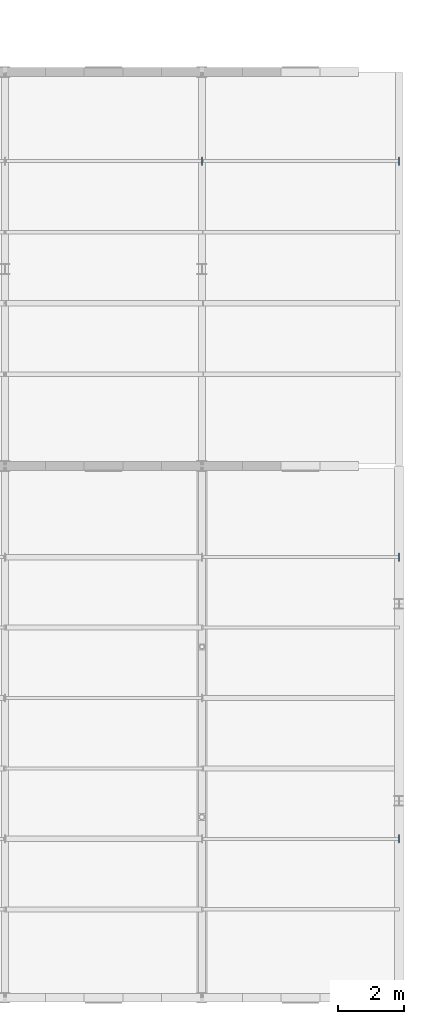
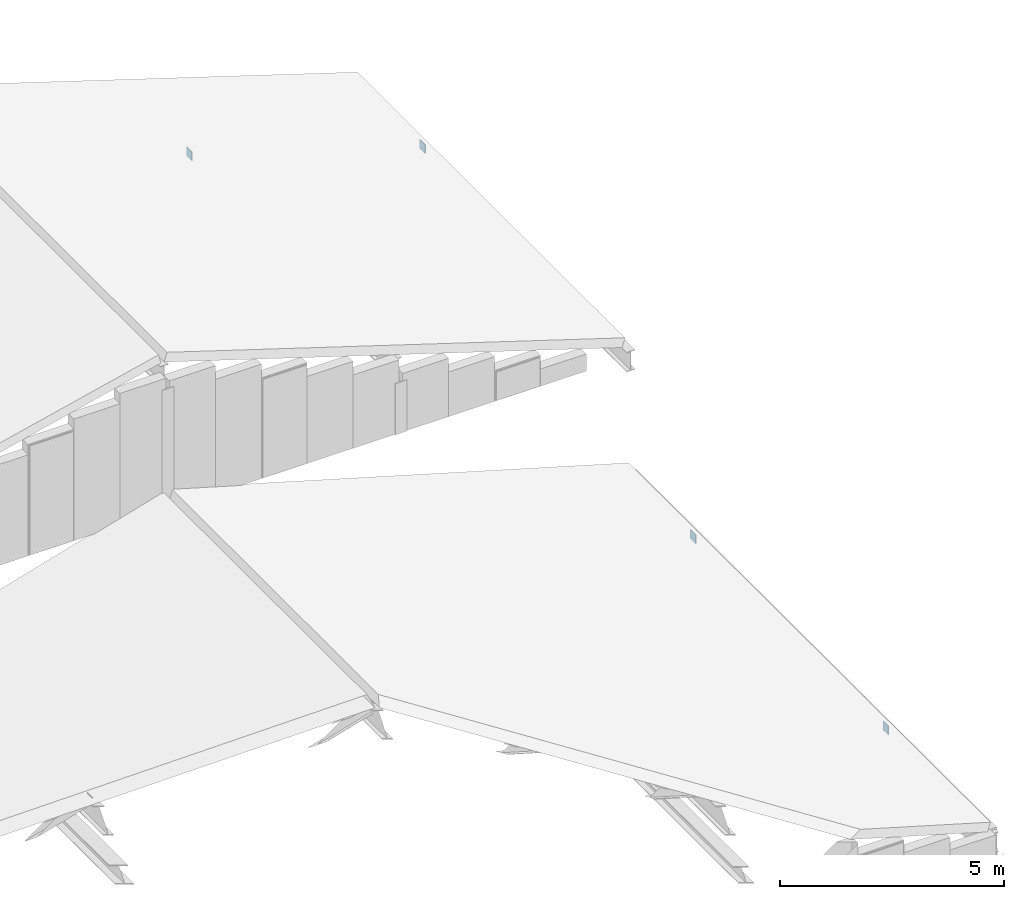
# One storey, part 60 of 74: 4 plates.
"""IFC4 building model written with IfcOpenShell, lengths in metres."""

from ifc_helpers import new_model, si_unit, direction, frame, origin, origin_2d, place, context, subcontext, project, spatial, rectangle, extrude, material, layer, layer_set, type_object, element, save


model = new_model("IFC4")

# Units and contexts
model_context = context("Model", 3, precision=1e-05, world=origin(), true_north=direction((0.0, 1.0)))
body_context = subcontext(model_context, "Body", "Model", "MODEL_VIEW")
ifc_project = project(units=[si_unit("LENGTHUNIT", "METRE"), si_unit("AREAUNIT", "SQUARE_METRE"), si_unit("VOLUMEUNIT", "CUBIC_METRE"), si_unit("PLANEANGLEUNIT", "RADIAN"), si_unit("MASSUNIT", "GRAM", prefix="KILO")], contexts=[model_context])

# Site, building, storey
site_placement = place(None, origin())
site = spatial("IfcSite", under=ifc_project, at=site_placement, CompositionType="ELEMENT")
building_placement = place(site_placement, origin())
building = spatial("IfcBuilding", under=site, at=building_placement, Name="Siltcreek Boulevard Central Fire Station", CompositionType="ELEMENT")
storey_placement = place(building_placement, frame((0.0, 0.0, 25.199951171875)))
storey = spatial("IfcBuildingStorey", under=building, at=storey_placement, Name="RF", CompositionType="ELEMENT", Elevation=25.199951171875)

# Plates
ifc_material = material(Name="Structural steel ASTM A572 Gr50", Category="steel")
ifc_layer = layer(ifc_material, 0.02490234375, Name="Structural steel ASTM A572 Gr50")
ifc_layer_set = layer_set([ifc_layer], Name="Structural steel ASTM A572 Gr50")
plate_type = type_object("IfcPlateType", Name="PL_CAP25", PredefinedType="USERDEFINED", material=ifc_layer_set)
for number, where, z_axis, x_axis, name in (
    (1, (166.2001953125, 6.641357421875, -14.6484375), (0.0, 0.0, 1.0), (1.0, 0.0, 0.0), "Sloped roof purlin PR-0327 sealed end cap 2"),
    (2, (166.2001953125, 15.224365234375, -14.6484375), (0.0, 0.0, 1.0), (1.0, 0.0, 0.0), "Sloped roof purlin PR-0331 sealed end cap 2"),
    (3, (160.199951171875, 27.285888671875, -9.451171875), (0.0, 0.0, 1.0), (1.0, 0.0, 0.0), "Sloped roof purlin PR-0343 sealed end cap 2"),
    (4, (166.199951171875, 27.285888671875, -11.35107421875), (0.0, 0.0, 1.0), (1.0, 0.0, 0.0), "Sloped roof purlin PR-0347 sealed end cap 2"),
):
    element("IfcPlate", number, at=place(storey_placement, frame(where, z_axis=z_axis, x_axis=x_axis)), inside=storey, type_object=plate_type, Name=name, ObjectType="END CAP", PredefinedType="USERDEFINED", context=body_context, shape_type="SweptSolid", body=[
        extrude(rectangle(XDim=0.02490234375, YDim=0.239990234375, at=origin_2d()), origin(), (0.0, 0.0, 1.0), 0.239990234375),
    ])

save(model, "model.ifc")
